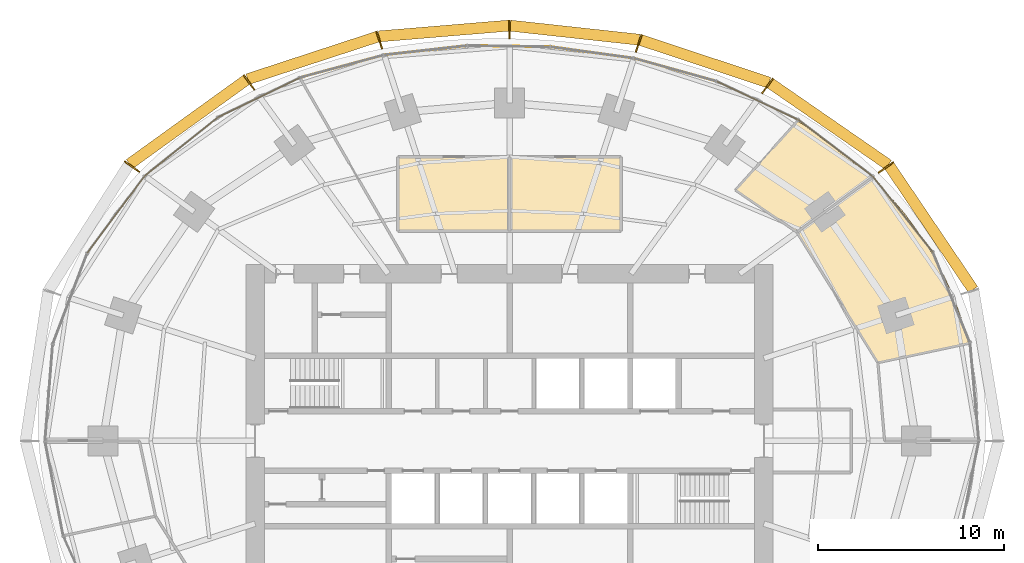
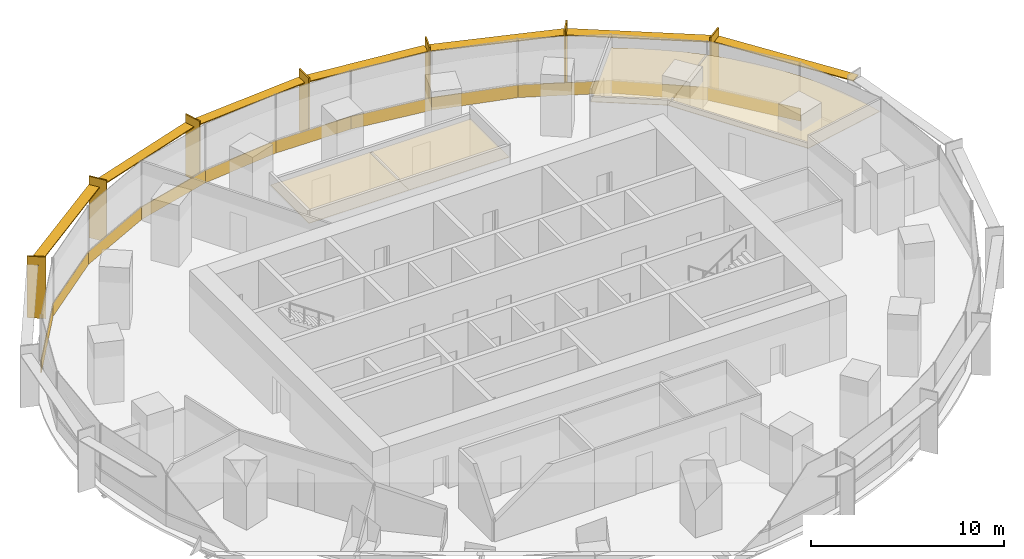
# One storey, part 14 of 14: 15 coverings, 14 shading devices.
"""IFC4 building model written with IfcOpenShell, lengths in metres."""

from ifc_helpers import new_model, si_unit, direction, frame, origin, origin_2d, place, context, subcontext, project, spatial, polyline, rectangle, outline, extrude, material, layer, layer_set, type_object, element, save


model = new_model("IFC4")

# Units and contexts
model_context = context("Model", 3, precision=1e-05, world=origin(), true_north=direction((0.0, 1.0)))
body_context = subcontext(model_context, "Body", "Model", "MODEL_VIEW")
ifc_project = project(units=[si_unit("LENGTHUNIT", "METRE"), si_unit("AREAUNIT", "SQUARE_METRE"), si_unit("VOLUMEUNIT", "CUBIC_METRE"), si_unit("PLANEANGLEUNIT", "RADIAN"), si_unit("MASSUNIT", "GRAM", prefix="KILO")], contexts=[model_context])

# Site, building, storey
site_placement = place(None, origin())
site = spatial("IfcSite", under=ifc_project, at=site_placement, CompositionType="ELEMENT")
building_placement = place(site_placement, origin())
building = spatial("IfcBuilding", under=site, at=building_placement, Name="Marramba Exchange Tower", CompositionType="ELEMENT")
storey_placement = place(building_placement, frame((0.0, 0.0, 100.199951171875)))
storey = spatial("IfcBuildingStorey", under=building, at=storey_placement, Name="L23", CompositionType="ELEMENT", Elevation=100.199951171875)

# Shading devices
ifc_material_1 = material(Name="Aluminium blade, timber-look bronze finish", Category="wood")
ifc_layer_1 = layer(ifc_material_1, 0.080078125)
ifc_layer_set_1 = layer_set([ifc_layer_1], Name="Floor-edge blade 1000x80")
shading_device_type_1 = type_object("IfcShadingDeviceType", Name="Floor-edge blade 1000x80", PredefinedType="USERDEFINED", material=ifc_layer_set_1)
for number, where, z_axis, x_axis, name in (
    (1, (20.27392578125, 14.72998046875, -0.159912109375), (0.0, 0.0, 1.0), (0.809016994375, 0.587785252292, 0.0), "Floor-edge blade FB1 L23 TC03"),
    (2, (13.8955078125, 19.12548828125, -0.159912109375), (0.0, 0.0, 1.0), (0.587785252292, 0.809016994375, 0.0), "Floor-edge blade FB1 L23 TC04"),
    (3, (6.958984375, 21.41748046875, -0.159912109375), (0.0, 0.0, 1.0), (0.309016994375, 0.951056516295, 0.0), "Floor-edge blade FB1 L23 TC05"),
    (4, (0.0, 22.173095703125, -0.159912109375), (0.0, 0.0, 1.0), (0.0, 1.0, 0.0), "Floor-edge blade FB1 L23 TC06"),
    (5, (-7.016845703125, 21.595703125, -0.159912109375), (0.0, 0.0, 1.0), (-0.309016994375, 0.951056516295, 0.0), "Floor-edge blade FB1 L23 TC07"),
    (6, (-14.029296875, 19.3095703125, -0.159912109375), (0.0, 0.0, 1.0), (-0.587785252292, 0.809016994375, 0.0), "Floor-edge blade FB1 L23 TC08"),
    (7, (-20.33642578125, 14.775390625, -0.159912109375), (0.0, 0.0, 1.0), (-0.809016994375, 0.587785252292, 0.0), "Floor-edge blade FB1 L23 TC09"),
):
    element("IfcShadingDevice", number, at=place(storey_placement, frame(where, z_axis=z_axis, x_axis=x_axis)), inside=storey, type_object=shading_device_type_1, Name=name, ObjectType="FIN", PredefinedType="USERDEFINED", context=body_context, shape_type="SweptSolid", body=[
        extrude(rectangle(XDim=1.0, YDim=0.080078125, at=origin_2d()), origin(), (0.0, 0.0, 1.0), 3.89990234375),
    ])
ifc_material_2 = material(Name="Aluminium sunshade, bronze anodised", Category="aluminium")
ifc_layer_2 = layer(ifc_material_2, 0.06005859375)
ifc_layer_set_2 = layer_set([ifc_layer_2], Name="SUNSHADE blade 600x60")
shading_device_type_2 = type_object("IfcShadingDeviceType", Name="SUNSHADE blade 600x60", PredefinedType="USERDEFINED", material=ifc_layer_set_2)
shading_device_1_placement = place(storey_placement, frame((22.712158203125, 11.4833984375, 3.159912109375), z_axis=(0.0, 0.0, 1.0), x_axis=(-0.560441804861, 0.828193807852, 0.0)))
element("IfcShadingDevice", 8, at=shading_device_1_placement, inside=storey, type_object=shading_device_type_2, Name="Sunshade SS1 L23 bay 02", ObjectType="SUNSHADE", PredefinedType="USERDEFINED", context=body_context, shape_type="SweptSolid", body=[
    extrude(rectangle(XDim=8.0439453125, YDim=0.60009765625, at=origin_2d()), origin(), (0.0, 0.0, 1.0), 0.06005859375),
])
shading_device_2_placement = place(storey_placement, frame((17.224365234375, 17.0673828125, 3.159912109375), z_axis=(0.0, 0.0, 1.0), x_axis=(-0.822589509071, 0.568635647464, 0.0)))
element("IfcShadingDevice", 9, at=shading_device_2_placement, inside=storey, type_object=shading_device_type_2, Name="Sunshade SS1 L23 bay 03", ObjectType="SUNSHADE", PredefinedType="USERDEFINED", context=body_context, shape_type="SweptSolid", body=[
    extrude(rectangle(XDim=7.72802734375, YDim=0.60009765625, at=origin_2d()), origin(), (0.0, 0.0, 1.0), 0.06005859375),
])
shading_device_3_placement = place(storey_placement, frame((10.516845703125, 20.447509765625, 3.159912109375), z_axis=(0.0, 0.0, 1.0), x_axis=(-0.949101076178, 0.314971660944, 0.0)))
element("IfcShadingDevice", 10, at=shading_device_3_placement, inside=storey, type_object=shading_device_type_2, Name="Sunshade SS1 L23 bay 04", ObjectType="SUNSHADE", PredefinedType="USERDEFINED", context=body_context, shape_type="SweptSolid", body=[
    extrude(rectangle(XDim=7.287353515625, YDim=0.60009765625, at=origin_2d()), origin(), (0.0, 0.0, 1.0), 0.06005859375),
])
shading_device_4_placement = place(storey_placement, frame((3.510498046875, 21.990478515625, 3.159912109375), z_axis=(0.0, 0.0, 1.0), x_axis=(-0.994111392801, 0.108362995081, 0.0)))
element("IfcShadingDevice", 11, at=shading_device_4_placement, inside=storey, type_object=shading_device_type_2, Name="Sunshade SS1 L23 bay 05", ObjectType="SUNSHADE", PredefinedType="USERDEFINED", context=body_context, shape_type="SweptSolid", body=[
    extrude(rectangle(XDim=6.982421875, YDim=0.60009765625, at=origin_2d()), origin(), (0.0, 0.0, 1.0), 0.06005859375),
])
shading_device_5_placement = place(storey_placement, frame((-3.539306640625, 22.07958984375, 3.159912109375), z_axis=(0.0, 0.0, 1.0), x_axis=(-0.996577838412, -0.08265961521, 0.0)))
element("IfcShadingDevice", 12, at=shading_device_5_placement, inside=storey, type_object=shading_device_type_2, Name="Sunshade SS1 L23 bay 06", ObjectType="SUNSHADE", PredefinedType="USERDEFINED", context=body_context, shape_type="SweptSolid", body=[
    extrude(rectangle(XDim=7.02294921875, YDim=0.60009765625, at=origin_2d()), origin(), (0.0, 0.0, 1.0), 0.06005859375),
])
shading_device_6_placement = place(storey_placement, frame((-10.61279296875, 20.628662109375, 3.159912109375), z_axis=(0.0, 0.0, 1.0), x_axis=(-0.950345637432, -0.311196351865, 0.0)))
element("IfcShadingDevice", 13, at=shading_device_6_placement, inside=storey, type_object=shading_device_type_2, Name="Sunshade SS1 L23 bay 07", ObjectType="SUNSHADE", PredefinedType="USERDEFINED", context=body_context, shape_type="SweptSolid", body=[
    extrude(rectangle(XDim=7.357421875, YDim=0.60009765625, at=origin_2d()), origin(), (0.0, 0.0, 1.0), 0.06005859375),
])
shading_device_7_placement = place(storey_placement, frame((-17.322509765625, 17.18212890625, 3.159912109375), z_axis=(0.0, 0.0, 1.0), x_axis=(-0.811199164202, -0.584769968448, 0.0)))
element("IfcShadingDevice", 14, at=shading_device_7_placement, inside=storey, type_object=shading_device_type_2, Name="Sunshade SS1 L23 bay 08", ObjectType="SUNSHADE", PredefinedType="USERDEFINED", context=body_context, shape_type="SweptSolid", body=[
    extrude(rectangle(XDim=7.749755859375, YDim=0.60009765625, at=origin_2d()), origin(), (0.0, 0.0, 1.0), 0.06005859375),
])

# Coverings
ifc_material_3 = material(Name="Aluminium spandrel panel, bronze anodised, insulated", Category="aluminium")
ifc_layer_3 = layer(ifc_material_3, 0.050048828125)
ifc_layer_set_3 = layer_set([ifc_layer_3], Name="Spandrel panel 800")
covering_type_1 = type_object("IfcCoveringType", Name="Spandrel panel 800", PredefinedType="CLADDING", material=ifc_layer_set_3)
covering_1_placement = place(storey_placement, frame((21.20068359375, 12.194091796875, 0.0), z_axis=(0.0, 0.0, 1.0), x_axis=(-0.621311998758, 0.783563271344, 0.0)))
element("IfcCovering", 15, at=covering_1_placement, inside=storey, type_object=covering_type_1, Name="Spandrel panel SP1 L23 F03", PredefinedType="CLADDING", context=body_context, shape_type="SweptSolid", body=[
    extrude(rectangle(XDim=5.197021484375, YDim=0.050048828125, at=origin_2d()), origin(), (0.0, 0.0, 1.0), 0.800048828125),
])
covering_2_placement = place(storey_placement, frame((17.576171875, 15.759033203125, 0.0), z_axis=(0.0, 0.0, 1.0), x_axis=(-0.795971745176, 0.605333776426, 0.0)))
element("IfcCovering", 16, at=covering_2_placement, inside=storey, type_object=covering_type_1, Name="Spandrel panel SP1 L23 F04", PredefinedType="CLADDING", context=body_context, shape_type="SweptSolid", body=[
    extrude(rectangle(XDim=5.05078125, YDim=0.050048828125, at=origin_2d()), origin(), (0.0, 0.0, 1.0), 0.800048828125),
])
covering_3_placement = place(storey_placement, frame((13.371337890625, 18.322998046875, 0.0), z_axis=(0.0, 0.0, 1.0), x_axis=(-0.904403135206, 0.426678999987, 0.0)))
element("IfcCovering", 17, at=covering_3_placement, inside=storey, type_object=covering_type_1, Name="Spandrel panel SP1 L23 F05", PredefinedType="CLADDING", context=body_context, shape_type="SweptSolid", body=[
    extrude(rectangle(XDim=4.853271484375, YDim=0.050048828125, at=origin_2d()), origin(), (0.0, 0.0, 1.0), 0.800048828125),
])
covering_4_placement = place(storey_placement, frame((8.9365234375, 19.98388671875, 0.0), z_axis=(0.0, 0.0, 1.0), x_axis=(-0.963177847397, 0.268865085655, 0.0)))
element("IfcCovering", 18, at=covering_4_placement, inside=storey, type_object=covering_type_1, Name="Spandrel panel SP1 L23 F06", PredefinedType="CLADDING", context=body_context, shape_type="SweptSolid", body=[
    extrude(rectangle(XDim=4.651611328125, YDim=0.050048828125, at=origin_2d()), origin(), (0.0, 0.0, 1.0), 0.800048828125),
])
covering_5_placement = place(storey_placement, frame((4.46337890625, 20.915283203125, 0.0), z_axis=(0.0, 0.0, 1.0), x_axis=(-0.990738214019, 0.135785828725, 0.0)))
element("IfcCovering", 19, at=covering_5_placement, inside=storey, type_object=covering_type_1, Name="Spandrel panel SP1 L23 F07", PredefinedType="CLADDING", context=body_context, shape_type="SweptSolid", body=[
    extrude(rectangle(XDim=4.507568359375, YDim=0.050048828125, at=origin_2d()), origin(), (0.0, 0.0, 1.0), 0.800048828125),
])
covering_6_placement = place(storey_placement, frame((-0.003662109375, 21.25634765625, 0.0), z_axis=(0.0, 0.0, 1.0), x_axis=(-0.999875870008, 0.015755779107, 0.0)))
element("IfcCovering", 20, at=covering_6_placement, inside=storey, type_object=covering_type_1, Name="Spandrel panel SP1 L23 F08", PredefinedType="CLADDING", context=body_context, shape_type="SweptSolid", body=[
    extrude(rectangle(XDim=4.46875, YDim=0.050048828125, at=origin_2d()), origin(), (0.0, 0.0, 1.0), 0.800048828125),
])
covering_7_placement = place(storey_placement, frame((-4.49609375, 21.03955078125, 0.0), z_axis=(0.0, 0.0, 1.0), x_axis=(-0.993823395975, -0.110973229261, 0.0)))
element("IfcCovering", 21, at=covering_7_placement, inside=storey, type_object=covering_type_1, Name="Spandrel panel SP1 L23 F09", PredefinedType="CLADDING", context=body_context, shape_type="SweptSolid", body=[
    extrude(rectangle(XDim=4.54443359375, YDim=0.050048828125, at=origin_2d()), origin(), (0.0, 0.0, 1.0), 0.800048828125),
])
covering_8_placement = place(storey_placement, frame((-9.0244140625, 20.17529296875, 0.0), z_axis=(0.0, 0.0, 1.0), x_axis=(-0.965522049344, -0.26032128655, 0.0)))
element("IfcCovering", 22, at=covering_8_placement, inside=storey, type_object=covering_type_1, Name="Spandrel panel SP1 L23 F10", PredefinedType="CLADDING", context=body_context, shape_type="SweptSolid", body=[
    extrude(rectangle(XDim=4.70263671875, YDim=0.050048828125, at=origin_2d()), origin(), (0.0, 0.0, 1.0), 0.800048828125),
])
covering_9_placement = place(storey_placement, frame((-13.49609375, 18.498291015625, 0.0), z_axis=(0.0, 0.0, 1.0), x_axis=(-0.900223736484, -0.435427633794, 0.0)))
element("IfcCovering", 23, at=covering_9_placement, inside=storey, type_object=covering_type_1, Name="Spandrel panel SP1 L23 F11", PredefinedType="CLADDING", context=body_context, shape_type="SweptSolid", body=[
    extrude(rectangle(XDim=4.890625, YDim=0.050048828125, at=origin_2d()), origin(), (0.0, 0.0, 1.0), 0.800048828125),
])
covering_10_placement = place(storey_placement, frame((-17.673095703125, 15.854736328125, 0.0), z_axis=(0.0, 0.0, 1.0), x_axis=(-0.781178328369, -0.624307952285, 0.0)))
element("IfcCovering", 24, at=covering_10_placement, inside=storey, type_object=covering_type_1, Name="Spandrel panel SP1 L23 F12", PredefinedType="CLADDING", context=body_context, shape_type="SweptSolid", body=[
    extrude(rectangle(XDim=5.058349609375, YDim=0.050048828125, at=origin_2d()), origin(), (0.0, 0.0, 1.0), 0.800048828125),
])
covering_11_placement = place(storey_placement, frame((-21.19580078125, 12.20068359375, 0.0), z_axis=(0.0, 0.0, 1.0), x_axis=(-0.597703998161, -0.801716864349, 0.0)))
element("IfcCovering", 25, at=covering_11_placement, inside=storey, type_object=covering_type_1, Name="Spandrel panel SP1 L23 F13", PredefinedType="CLADDING", context=body_context, shape_type="SweptSolid", body=[
    extrude(rectangle(XDim=5.17626953125, YDim=0.050048828125, at=origin_2d()), origin(), (0.0, 0.0, 1.0), 0.800048828125),
])
ifc_material_4 = material(Name="Mineral fibre ceiling tiles", Category="gypsum")
ifc_layer_4 = layer(ifc_material_4, 0.02001953125)
ifc_layer_set_4 = layer_set([ifc_layer_4], Name="Suspended ceiling 20")
covering_type_2 = type_object("IfcCoveringType", Name="Suspended ceiling 20", PredefinedType="CEILING", material=ifc_layer_set_4)
covering_12_placement = place(storey_placement, frame((0.0, 0.0, 2.900146484375)))
element("IfcCovering", 26, at=covering_12_placement, inside=storey, type_object=covering_type_2, Name="Ceiling CL1 L23 Compliance Office 1", PredefinedType="CEILING", context=body_context, shape_type="SweptSolid", body=[
    extrude(outline(polyline([(16.563720703125, 16.563720703125), (17.5869140625, 15.835205078125), (18.5751953125, 15.041748046875), (19.521484375, 14.18310546875), (15.4765625, 11.244384765625), (12.166748046875, 13.512451171875), (15.512451171875, 17.228271484375), (16.563720703125, 16.563720703125)])), origin(), (0.0, 0.0, 1.0), 0.02001953125),
])
covering_13_placement = place(storey_placement, frame((0.0, 0.0, 2.900146484375)))
element("IfcCovering", 27, at=covering_13_placement, inside=storey, type_object=covering_type_2, Name="Ceiling CL1 L23 Compliance Office 3", PredefinedType="CEILING", context=body_context, shape_type="SweptSolid", body=[
    extrude(outline(polyline([(19.950927734375, 13.74169921875), (20.4189453125, 13.26025390625), (21.089599609375, 12.4736328125), (21.259765625, 12.2744140625), (22.03662109375, 11.228271484375), (22.7421875, 10.12548828125), (22.854736328125, 9.91845703125), (23.3701171875, 8.970947265625), (23.9140625, 7.77001953125), (24.368896484375, 6.529541015625), (24.510009765625, 6.03271484375), (24.73046875, 5.256591796875), (19.839599609375, 4.217041015625), (15.4765625, 11.244384765625), (19.521484375, 14.18310546875), (19.950927734375, 13.74169921875)])), origin(), (0.0, 0.0, 1.0), 0.02001953125),
])
covering_14_placement = place(storey_placement, frame((0.0, 0.0, 2.900146484375)))
element("IfcCovering", 28, at=covering_14_placement, inside=storey, type_object=covering_type_2, Name="Ceiling CL1 L23 Meeting Room 1", PredefinedType="CEILING", context=body_context, shape_type="SweptSolid", body=[
    extrude(outline(polyline([(0.0, 11.300048828125), (-6.0, 11.300048828125), (-6.0, 15.300048828125), (0.0, 15.300048828125), (0.0, 11.300048828125)])), origin(), (0.0, 0.0, 1.0), 0.02001953125),
])
covering_15_placement = place(storey_placement, frame((0.0, 0.0, 2.900146484375)))
element("IfcCovering", 29, at=covering_15_placement, inside=storey, type_object=covering_type_2, Name="Ceiling CL1 L23 Meeting Room 2", PredefinedType="CEILING", context=body_context, shape_type="SweptSolid", body=[
    extrude(outline(polyline([(6.0, 11.300048828125), (0.0, 11.300048828125), (0.0, 15.300048828125), (6.0, 15.300048828125), (6.0, 11.300048828125)])), origin(), (0.0, 0.0, 1.0), 0.02001953125),
])

save(model, "model.ifc")
